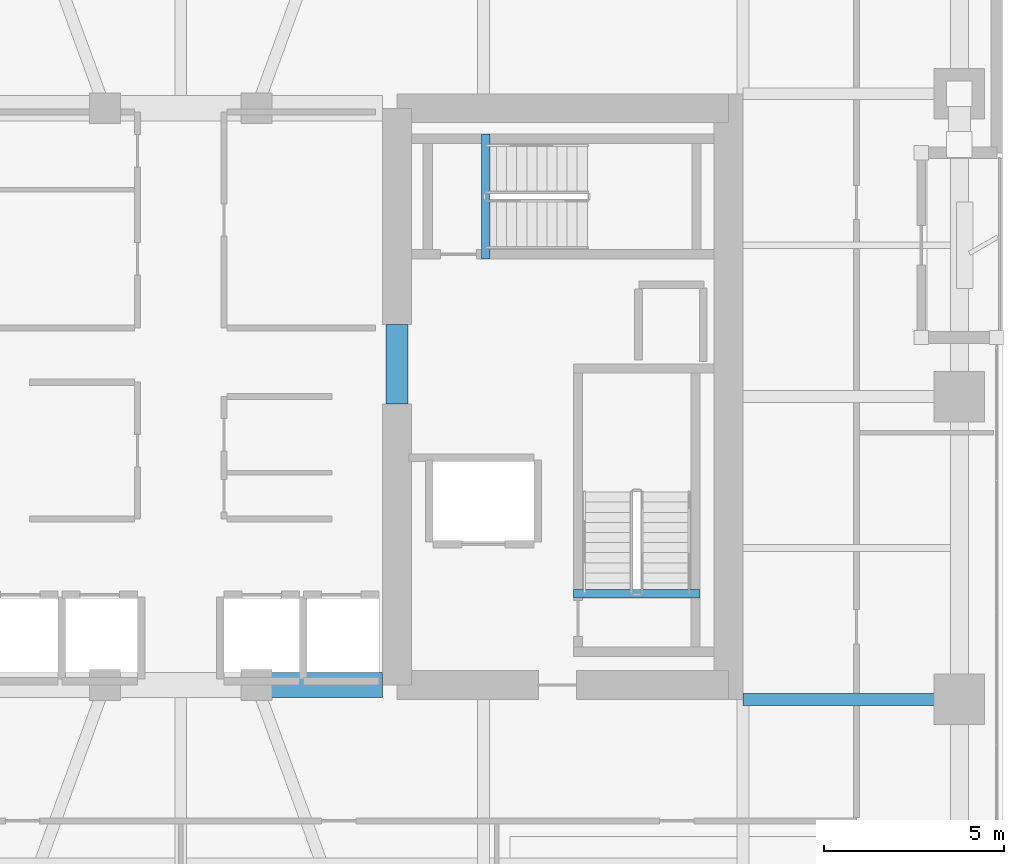
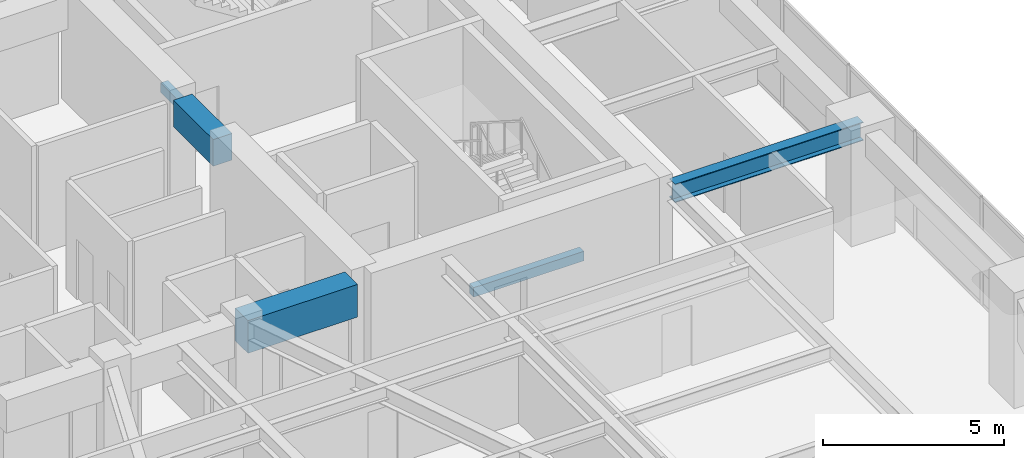
# One storey, part 5 of 24: 5 beams.
"""IFC4 building model written with IfcOpenShell, lengths in metres."""

from ifc_helpers import new_model, si_unit, direction, frame, origin, origin_2d, place, context, subcontext, project, spatial, rectangle, i_section, extrude, material, material_profile, profile_set, type_object, element, save


model = new_model("IFC4")

# Units and contexts
model_context = context("Model", 3, precision=1e-05, world=origin(), true_north=direction((0.0, 1.0)))
body_context = subcontext(model_context, "Body", "Model", "MODEL_VIEW")
ifc_project = project(units=[si_unit("LENGTHUNIT", "METRE"), si_unit("AREAUNIT", "SQUARE_METRE"), si_unit("VOLUMEUNIT", "CUBIC_METRE"), si_unit("PLANEANGLEUNIT", "RADIAN"), si_unit("MASSUNIT", "GRAM", prefix="KILO")], contexts=[model_context])

# Site, building, storey
site_placement = place(None, origin())
site = spatial("IfcSite", under=ifc_project, at=site_placement, CompositionType="ELEMENT")
building_placement = place(site_placement, origin())
building = spatial("IfcBuilding", under=site, at=building_placement, Name="Kiyonajd Concourse Tower", CompositionType="ELEMENT")
storey_placement = place(building_placement, frame((0.0, 0.0, 93.60009765625)))
storey = spatial("IfcBuildingStorey", under=building, at=storey_placement, Name="L24", CompositionType="ELEMENT", Elevation=93.60009765625)

# Beams
ifc_material_1 = material(Name="Concrete C70/85", Category="concrete")
ifc_material_profile_1 = material_profile(ifc_material_1, rectangle(XDim=0.699951171875, YDim=1.10009765625, at=origin_2d()), Name="RCBM-700x1100")
ifc_profile_set_1 = profile_set([ifc_material_profile_1], Name="Concrete C70/85")
beam_type_1 = type_object("IfcBeamType", Name="BM-COUP-1100", PredefinedType="LINTEL", material=ifc_profile_set_1)
beam_1_placement = place(storey_placement, frame((50.10009765625, 28.0, 3.08984375), z_axis=(1.0, 0.0, 0.0), x_axis=(0.0, 1.0, 0.0)))
element("IfcBeam", 1, at=beam_1_placement, inside=storey, type_object=beam_type_1, Name="L24 Core Coupling Beam S3", PredefinedType="LINTEL", context=body_context, shape_type="SweptSolid", body=[
    extrude(rectangle(XDim=0.699951171875, YDim=1.10009765625, at=origin_2d()), origin(), (0.0, 0.0, 1.0), 3.5),
])
ifc_material_2 = material(Name="Concrete C60/75", Category="concrete")
ifc_material_profile_2 = material_profile(ifc_material_2, rectangle(XDim=0.60009765625, YDim=0.89990234375, at=origin_2d()), Name="RCBM-600x900")
ifc_profile_set_2 = profile_set([ifc_material_profile_2], Name="Concrete C60/75")
beam_type_2 = type_object("IfcBeamType", Name="BM-COUP-900", PredefinedType="LINTEL", material=ifc_profile_set_2)
beam_2_placement = place(storey_placement, frame((54.0, 35.800048828125, 3.08984375), z_axis=(0.0, 1.0, 0.0), x_axis=(-1.0, 0.0, 0.0)))
element("IfcBeam", 2, at=beam_2_placement, inside=storey, type_object=beam_type_2, Name="L24 East Core Throat Coupling Lintel", PredefinedType="LINTEL", context=body_context, shape_type="SweptSolid", body=[
    extrude(rectangle(XDim=0.60009765625, YDim=0.89990234375, at=origin_2d()), origin(), (0.0, 0.0, 1.0), 2.199951171875),
])
ifc_material_3 = material(Name="Concrete C50/60", Category="concrete")
ifc_material_profile_3 = material_profile(ifc_material_3, rectangle(XDim=0.239990234375, YDim=0.320068359375, at=origin_2d()), Name="RCBM-240x320")
ifc_profile_set_3 = profile_set([ifc_material_profile_3], Name="Concrete C50/60")
beam_type_3 = type_object("IfcBeamType", Name="BM-LNT-250", PredefinedType="LINTEL", material=ifc_profile_set_3)
beam_3_placement = place(storey_placement, frame((58.889892578125, 30.530029296875, -0.16015625), z_axis=(1.0, 0.0, 0.0), x_axis=(0.0, 1.0, 0.0)))
element("IfcBeam", 3, at=beam_3_placement, inside=storey, type_object=beam_type_3, Name="L24 Stair ST2 Threshold Support Beam", PredefinedType="LINTEL", context=body_context, shape_type="SweptSolid", body=[
    extrude(rectangle(XDim=0.239990234375, YDim=0.320068359375, at=origin_2d()), origin(), (0.0, 0.0, 1.0), 3.52001953125),
])
beam_4_placement = place(storey_placement, frame((56.4599609375, 39.820068359375, -0.16015625), z_axis=(0.0, 1.0, 0.0), x_axis=(-1.0, 0.0, 0.0)))
element("IfcBeam", 4, at=beam_4_placement, inside=storey, type_object=beam_type_3, Name="L24 Stair ST3 Threshold Support Beam", PredefinedType="LINTEL", context=body_context, shape_type="SweptSolid", body=[
    extrude(rectangle(XDim=0.239990234375, YDim=0.320068359375, at=origin_2d()), origin(), (0.0, 0.0, 1.0), 3.4599609375),
])
ifc_material_4 = material(Name="Steel ASTM A992 Grade 50", Category="steel")
ifc_material_profile_4 = material_profile(ifc_material_4, i_section(OverallWidth=0.326904296875, OverallDepth=0.6220703125, WebThickness=0.015380859375, FlangeThickness=0.0244140625, at=origin_2d()), Name="W610X195")
ifc_profile_set_4 = profile_set([ifc_material_profile_4], Name="Steel ASTM A992 Grade 50")
beam_type_4 = type_object("IfcBeamType", Name="BM-TWR-610A", PredefinedType="BEAM", material=ifc_profile_set_4)
beam_5_placement = place(storey_placement, frame((63.60009765625, 27.60009765625, 3.328857421875), z_axis=(1.0, 0.0, 0.0), x_axis=(0.0, 1.0, 0.0)))
element("IfcBeam", 5, at=beam_5_placement, inside=storey, type_object=beam_type_4, Name="L24 East Lease Girder", PredefinedType="BEAM", context=body_context, shape_type="SweptSolid", body=[
    extrude(i_section(OverallWidth=0.326904296875, OverallDepth=0.6220703125, WebThickness=0.015380859375, FlangeThickness=0.0244140625, at=origin_2d()), origin(), (0.0, 0.0, 1.0), 6.0),
])

save(model, "model.ifc")
